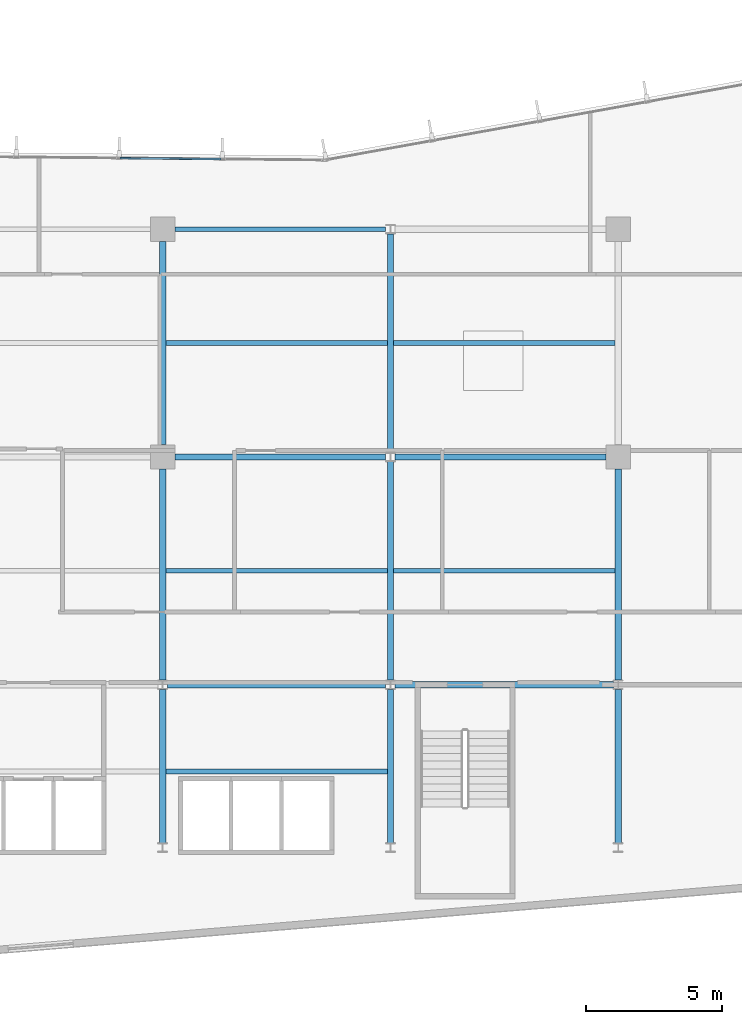
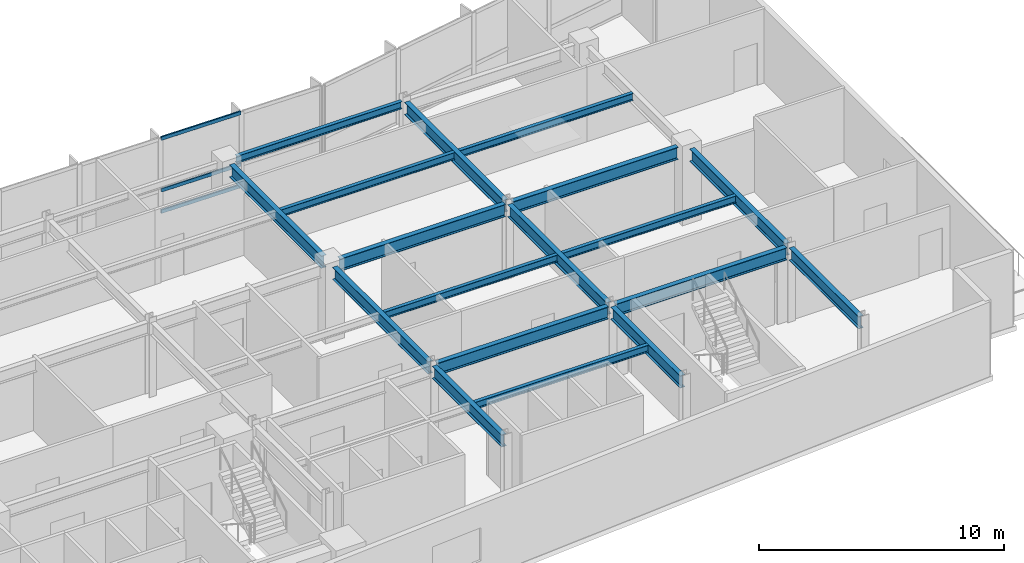
# One storey, part 5 of 18: 18 beams, 3 members, 1 element without a shape of its own.
"""IFC4 building model written with IfcOpenShell, lengths in metres."""

from ifc_helpers import new_model, si_unit, direction, frame, origin, origin_2d, place, context, subcontext, project, spatial, hollow_rectangle, i_section, extrude, material, layer, layer_set, material_profile, profile_set, type_object, element, aggregate, save


model = new_model("IFC4")

# Units and contexts
model_context = context("Model", 3, precision=1e-05, world=origin(), true_north=direction((0.0, 1.0)))
body_context = subcontext(model_context, "Body", "Model", "MODEL_VIEW")
ifc_project = project(units=[si_unit("LENGTHUNIT", "METRE"), si_unit("AREAUNIT", "SQUARE_METRE"), si_unit("VOLUMEUNIT", "CUBIC_METRE"), si_unit("PLANEANGLEUNIT", "RADIAN"), si_unit("MASSUNIT", "GRAM", prefix="KILO")], contexts=[model_context])

# Site, building, storey
site_placement = place(None, origin())
site = spatial("IfcSite", under=ifc_project, at=site_placement, CompositionType="ELEMENT")
building_placement = place(site_placement, origin())
building = spatial("IfcBuilding", under=site, at=building_placement, Name="Varnakote Quay Hospital", CompositionType="ELEMENT")
storey_placement = place(building_placement, frame((0.0, 0.0, 30.39990234375)))
storey = spatial("IfcBuildingStorey", under=building, at=storey_placement, Name="L07", CompositionType="ELEMENT", Elevation=30.39990234375)

# Beams
ifc_material_1 = material(Name="Structural steel AS/NZS 3679.1 Grade 350 L0 (fy 340 MPa)", Category="steel")
ifc_material_profile_1 = material_profile(ifc_material_1, i_section(OverallWidth=0.22900390625, OverallDepth=0.612060546875, WebThickness=0.011962890625, FlangeThickness=0.01953125, FilletRadius=0.013916015625, at=origin_2d()), Name="610UB125")
ifc_profile_set_1 = profile_set([ifc_material_profile_1], Name="Structural steel AS/NZS 3679.1 Grade 350 L0 (fy 340 MPa)")
beam_type_1 = type_object("IfcBeamType", Name="BM-STL-610UB125", PredefinedType="BEAM", material=ifc_profile_set_1)
for number, where, z_axis, x_axis, name in (
    (1, (33.77490234375, 12.0, 3.404052734375), (1.0, 0.0, 0.0), (0.0, 1.0, 0.0), "L07 Primary Floor Beam"),
    (2, (42.175048828125, 12.0, 3.404052734375), (1.0, 0.0, 0.0), (0.0, 1.0, 0.0), "L07 Primary Floor Beam"),
):
    element("IfcBeam", number, at=place(storey_placement, frame(where, z_axis=z_axis, x_axis=x_axis)), inside=storey, type_object=beam_type_1, Name=name, PredefinedType="BEAM", context=body_context, shape_type="SweptSolid", body=[
        extrude(i_section(OverallWidth=0.22900390625, OverallDepth=0.612060546875, WebThickness=0.011962890625, FlangeThickness=0.01953125, FilletRadius=0.013916015625, at=origin_2d()), origin(), (0.0, 0.0, 1.0), 8.050048828125),
    ])
for number, where, z_axis, x_axis, name in (
    (3, (34.050048828125, 20.39990234375, 3.404052734375), (1.0, 0.0, 0.0), (0.0, 1.0, 0.0), "L07 Primary Floor Beam"),
    (4, (42.175048828125, 20.39990234375, 3.404052734375), (1.0, 0.0, 0.0), (0.0, 1.0, 0.0), "L07 Primary Floor Beam"),
):
    element("IfcBeam", number, at=place(storey_placement, frame(where, z_axis=z_axis, x_axis=x_axis)), inside=storey, type_object=beam_type_1, Name=name, PredefinedType="BEAM", context=body_context, shape_type="SweptSolid", body=[
        extrude(i_section(OverallWidth=0.22900390625, OverallDepth=0.612060546875, WebThickness=0.011962890625, FlangeThickness=0.01953125, FilletRadius=0.013916015625, at=origin_2d()), origin(), (0.0, 0.0, 1.0), 7.77490234375),
    ])
beam_1_placement = place(storey_placement, frame((33.60009765625, 6.169921875, 3.404052734375), z_axis=(0.0, 1.0, 0.0), x_axis=(-1.0, 0.0, 0.0)))
element("IfcBeam", 5, at=beam_1_placement, inside=storey, type_object=beam_type_1, Name="L07 Primary Tie Beam", PredefinedType="BEAM", context=body_context, shape_type="SweptSolid", body=[
    extrude(i_section(OverallWidth=0.22900390625, OverallDepth=0.612060546875, WebThickness=0.011962890625, FlangeThickness=0.01953125, FilletRadius=0.013916015625, at=origin_2d()), origin(), (0.0, 0.0, 1.0), 5.66015625),
])
beam_2_placement = place(storey_placement, frame((33.60009765625, 12.169921875, 3.404052734375), z_axis=(0.0, 1.0, 0.0), x_axis=(-1.0, 0.0, 0.0)))
element("IfcBeam", 6, at=beam_2_placement, inside=storey, type_object=beam_type_1, Name="L07 Primary Tie Beam", PredefinedType="BEAM", context=body_context, shape_type="SweptSolid", body=[
    extrude(i_section(OverallWidth=0.22900390625, OverallDepth=0.612060546875, WebThickness=0.011962890625, FlangeThickness=0.01953125, FilletRadius=0.013916015625, at=origin_2d()), origin(), (0.0, 0.0, 1.0), 7.780029296875),
])
beam_3_placement = place(storey_placement, frame((33.60009765625, 20.85009765625, 3.404052734375), z_axis=(0.0, 1.0, 0.0), x_axis=(-1.0, 0.0, 0.0)))
element("IfcBeam", 7, at=beam_3_placement, inside=storey, type_object=beam_type_1, Name="L07 Primary Tie Beam", PredefinedType="BEAM", context=body_context, shape_type="SweptSolid", body=[
    extrude(i_section(OverallWidth=0.22900390625, OverallDepth=0.612060546875, WebThickness=0.011962890625, FlangeThickness=0.01953125, FilletRadius=0.013916015625, at=origin_2d()), origin(), (0.0, 0.0, 1.0), 7.5),
])
beam_4_placement = place(storey_placement, frame((42.0, 6.169921875, 3.404052734375), z_axis=(0.0, 1.0, 0.0), x_axis=(-1.0, 0.0, 0.0)))
element("IfcBeam", 8, at=beam_4_placement, inside=storey, type_object=beam_type_1, Name="L07 Primary Tie Beam", PredefinedType="BEAM", context=body_context, shape_type="SweptSolid", body=[
    extrude(i_section(OverallWidth=0.22900390625, OverallDepth=0.612060546875, WebThickness=0.011962890625, FlangeThickness=0.01953125, FilletRadius=0.013916015625, at=origin_2d()), origin(), (0.0, 0.0, 1.0), 5.66015625),
])
beam_5_placement = place(storey_placement, frame((42.0, 12.169921875, 3.404052734375), z_axis=(0.0, 1.0, 0.0), x_axis=(-1.0, 0.0, 0.0)))
element("IfcBeam", 9, at=beam_5_placement, inside=storey, type_object=beam_type_1, Name="L07 Primary Tie Beam", PredefinedType="BEAM", context=body_context, shape_type="SweptSolid", body=[
    extrude(i_section(OverallWidth=0.22900390625, OverallDepth=0.612060546875, WebThickness=0.011962890625, FlangeThickness=0.01953125, FilletRadius=0.013916015625, at=origin_2d()), origin(), (0.0, 0.0, 1.0), 8.06005859375),
])
beam_6_placement = place(storey_placement, frame((42.0, 20.570068359375, 3.404052734375), z_axis=(0.0, 1.0, 0.0), x_axis=(-1.0, 0.0, 0.0)))
element("IfcBeam", 10, at=beam_6_placement, inside=storey, type_object=beam_type_1, Name="L07 Primary Tie Beam", PredefinedType="BEAM", context=body_context, shape_type="SweptSolid", body=[
    extrude(i_section(OverallWidth=0.22900390625, OverallDepth=0.612060546875, WebThickness=0.011962890625, FlangeThickness=0.01953125, FilletRadius=0.013916015625, at=origin_2d()), origin(), (0.0, 0.0, 1.0), 8.059814453125),
])
beam_7_placement = place(storey_placement, frame((50.39990234375, 6.169921875, 3.404052734375), z_axis=(0.0, 1.0, 0.0), x_axis=(-1.0, 0.0, 0.0)))
element("IfcBeam", 11, at=beam_7_placement, inside=storey, type_object=beam_type_1, Name="L07 Primary Tie Beam", PredefinedType="BEAM", context=body_context, shape_type="SweptSolid", body=[
    extrude(i_section(OverallWidth=0.22900390625, OverallDepth=0.612060546875, WebThickness=0.011962890625, FlangeThickness=0.01953125, FilletRadius=0.013916015625, at=origin_2d()), origin(), (0.0, 0.0, 1.0), 5.66015625),
])
beam_8_placement = place(storey_placement, frame((50.39990234375, 12.169921875, 3.404052734375), z_axis=(0.0, 1.0, 0.0), x_axis=(-1.0, 0.0, 0.0)))
element("IfcBeam", 12, at=beam_8_placement, inside=storey, type_object=beam_type_1, Name="L07 Primary Tie Beam", PredefinedType="BEAM", context=body_context, shape_type="SweptSolid", body=[
    extrude(i_section(OverallWidth=0.22900390625, OverallDepth=0.612060546875, WebThickness=0.011962890625, FlangeThickness=0.01953125, FilletRadius=0.013916015625, at=origin_2d()), origin(), (0.0, 0.0, 1.0), 7.780029296875),
])

# Curtain wall, members
ifc_material_2 = material(Name="Anodised aluminium 6063-T6 Bronze", Category="aluminium")
ifc_layer = layer(ifc_material_2, 0.18994140625)
ifc_layer_set = layer_set([ifc_layer], Name="Anodised aluminium 6063-T6 Bronze")
curtain_wall_type = type_object("IfcCurtainWallType", Name="CW-SYS-2", PredefinedType="NOTDEFINED", material=ifc_layer_set)
curtain_wall_placement = place(storey_placement, origin())
curtain_wall = element("IfcCurtainWall", 13, at=curtain_wall_placement, inside=storey, type_object=curtain_wall_type, Name="L07 Unitised Bronze Curtain Wall 2", PredefinedType="NOTDEFINED")
ifc_material_3 = material(Name="Anodised aluminium 6063-T6 Bronze", Category="aluminium")
ifc_material_profile_2 = material_profile(ifc_material_3, hollow_rectangle(XDim=0.074951171875, YDim=0.179931640625, WallThickness=0.004150390625, InnerFilletRadius=0.004150390625, OuterFilletRadius=0.00830078125, at=origin_2d()), Name="CW-TRAN-180x75")
ifc_profile_set_2 = profile_set([ifc_material_profile_2], Name="Anodised aluminium 6063-T6 Bronze")
member_type = type_object("IfcMemberType", Name="CW-TRAN-180x75", PredefinedType="USERDEFINED", material=ifc_profile_set_2)
member_1_placement = place(storey_placement, frame((35.756591796875, 31.38134765625, 0.03759765625), z_axis=(-0.999952203239, 0.009777077123, 0.0), x_axis=(-0.009777077123, -0.999952203239, 0.0)))
member_1 = element("IfcMember", 14, at=member_1_placement, type_object=member_type, Name="-2-L07-2 transom 2.1", ObjectType="TRANSOM", PredefinedType="USERDEFINED", context=body_context, shape_type="SweptSolid", body=[
    extrude(hollow_rectangle(XDim=0.074951171875, YDim=0.179931640625, WallThickness=0.004150390625, InnerFilletRadius=0.004150390625, OuterFilletRadius=0.00830078125, at=origin_2d()), origin(), (0.0, 0.0, 1.0), 3.720703125),
])
member_2_placement = place(storey_placement, frame((35.756591796875, 31.38134765625, 1.10009765625), z_axis=(-0.999952203239, 0.009777077123, 0.0), x_axis=(-0.009777077123, -0.999952203239, 0.0)))
member_2 = element("IfcMember", 15, at=member_2_placement, type_object=member_type, Name="-2-L07-2 transom 2.2", ObjectType="TRANSOM", PredefinedType="USERDEFINED", context=body_context, shape_type="SweptSolid", body=[
    extrude(hollow_rectangle(XDim=0.074951171875, YDim=0.179931640625, WallThickness=0.004150390625, InnerFilletRadius=0.004150390625, OuterFilletRadius=0.00830078125, at=origin_2d()), origin(), (0.0, 0.0, 1.0), 3.720703125),
])
member_3_placement = place(storey_placement, frame((35.756591796875, 31.38134765625, 3.672607421875), z_axis=(-0.999952203239, 0.009777077123, 0.0), x_axis=(-0.009777077123, -0.999952203239, 0.0)))
member_3 = element("IfcMember", 16, at=member_3_placement, type_object=member_type, Name="-2-L07-2 transom 2.3", ObjectType="TRANSOM", PredefinedType="USERDEFINED", context=body_context, shape_type="SweptSolid", body=[
    extrude(hollow_rectangle(XDim=0.074951171875, YDim=0.179931640625, WallThickness=0.004150390625, InnerFilletRadius=0.004150390625, OuterFilletRadius=0.00830078125, at=origin_2d()), origin(), (0.0, 0.0, 1.0), 3.720703125),
])
aggregate(curtain_wall, [member_1, member_2, member_3])

# Beams
ifc_material_4 = material(Name="Structural steel AS/NZS 3679.1 Grade 350 L0 (fy 340 MPa)", Category="steel")
ifc_material_profile_3 = material_profile(ifc_material_4, i_section(OverallWidth=0.1708984375, OverallDepth=0.35595703125, WebThickness=0.00732421875, FlangeThickness=0.011474609375, FilletRadius=0.011474609375, at=origin_2d()), Name="360UB50.7")
ifc_profile_set_3 = profile_set([ifc_material_profile_3], Name="Structural steel AS/NZS 3679.1 Grade 350 L0 (fy 340 MPa)")
beam_type_2 = type_object("IfcBeamType", Name="JST-STL-360UB50-7", PredefinedType="JOIST", material=ifc_profile_set_3)
for number, where, z_axis, x_axis, name in (
    (17, (33.714599609375, 8.800048828125, 3.531982421875), (1.0, 0.0, 0.0), (0.0, 1.0, 0.0), "L07 Composite Floor Joist"),
    (18, (33.714599609375, 16.199951171875, 3.531982421875), (1.0, 0.0, 0.0), (0.0, 1.0, 0.0), "L07 Composite Floor Joist"),
    (19, (42.114501953125, 16.199951171875, 3.531982421875), (1.0, 0.0, 0.0), (0.0, 1.0, 0.0), "L07 Composite Floor Joist"),
    (20, (33.714599609375, 24.60009765625, 3.531982421875), (1.0, 0.0, 0.0), (0.0, 1.0, 0.0), "L07 Composite Floor Joist"),
    (21, (42.114501953125, 24.60009765625, 3.531982421875), (1.0, 0.0, 0.0), (0.0, 1.0, 0.0), "L07 Composite Floor Joist"),
):
    element("IfcBeam", number, at=place(storey_placement, frame(where, z_axis=z_axis, x_axis=x_axis)), inside=storey, type_object=beam_type_2, Name=name, PredefinedType="JOIST", context=body_context, shape_type="SweptSolid", body=[
        extrude(i_section(OverallWidth=0.1708984375, OverallDepth=0.35595703125, WebThickness=0.00732421875, FlangeThickness=0.011474609375, FilletRadius=0.011474609375, at=origin_2d()), origin(), (0.0, 0.0, 1.0), 8.1708984375),
    ])
ifc_material_5 = material(Name="Structural steel AS/NZS 3679.1 Grade 350 L0 (fy 340 MPa)", Category="steel")
ifc_material_profile_4 = material_profile(ifc_material_5, i_section(OverallWidth=0.172119140625, OverallDepth=0.35888671875, WebThickness=0.008056640625, FlangeThickness=0.012939453125, FilletRadius=0.011474609375, at=origin_2d()), Name="360UB56.7")
ifc_profile_set_4 = profile_set([ifc_material_profile_4], Name="Structural steel AS/NZS 3679.1 Grade 350 L0 (fy 340 MPa)")
beam_type_3 = type_object("IfcBeamType", Name="SPN-STL-360UB56-7", PredefinedType="SPANDREL", material=ifc_profile_set_4)
beam_9_placement = place(storey_placement, frame((34.050048828125, 28.800048828125, 3.530517578125), z_axis=(1.0, 0.0, 0.0), x_axis=(0.0, 1.0, 0.0)))
element("IfcBeam", 22, at=beam_9_placement, inside=storey, type_object=beam_type_3, Name="L07 Perimeter Spandrel Beam", PredefinedType="SPANDREL", context=body_context, shape_type="SweptSolid", body=[
    extrude(i_section(OverallWidth=0.172119140625, OverallDepth=0.35888671875, WebThickness=0.008056640625, FlangeThickness=0.012939453125, FilletRadius=0.011474609375, at=origin_2d()), origin(), (0.0, 0.0, 1.0), 7.77490234375),
])

save(model, "model.ifc")
